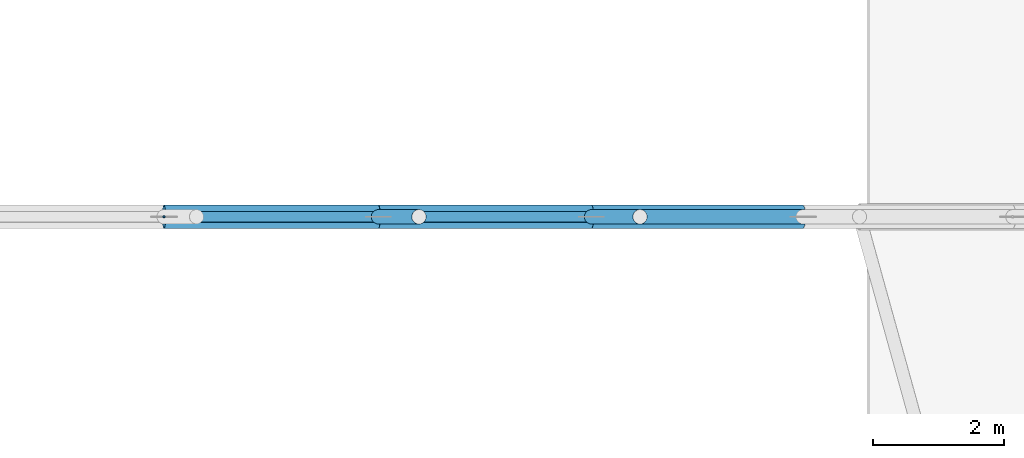
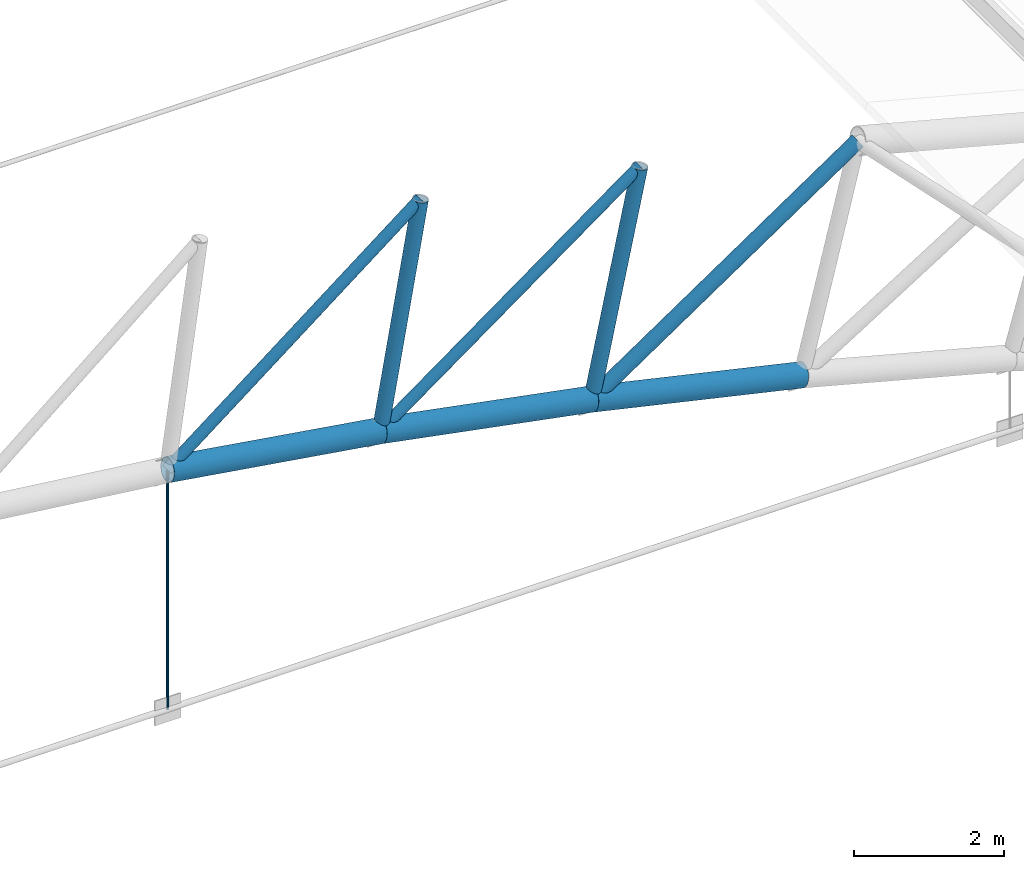
# One storey, part 106 of 321: 9 members.
"""IFC4 building model written with IfcOpenShell, lengths in metres."""

from ifc_helpers import new_model, si_unit, direction, frame, origin, origin_2d, place, context, subcontext, project, spatial, circle, hollow_circle, extrude, material, material_profile, profile_set, type_object, element, save


model = new_model("IFC4")

# Units and contexts
model_context = context("Model", 3, precision=1e-05, world=origin(), true_north=direction((0.0, 1.0)))
body_context = subcontext(model_context, "Body", "Model", "MODEL_VIEW")
ifc_project = project(units=[si_unit("LENGTHUNIT", "METRE"), si_unit("AREAUNIT", "SQUARE_METRE"), si_unit("VOLUMEUNIT", "CUBIC_METRE"), si_unit("PLANEANGLEUNIT", "RADIAN"), si_unit("MASSUNIT", "GRAM", prefix="KILO")], contexts=[model_context])

# Site, building, storey
site_placement = place(None, origin())
site = spatial("IfcSite", under=ifc_project, at=site_placement, CompositionType="ELEMENT")
building_placement = place(site_placement, origin())
building = spatial("IfcBuilding", under=site, at=building_placement, Name="Ravi Spectrum Wholesale Market", CompositionType="ELEMENT")
storey_placement = place(building_placement, frame((0.0, 0.0, 10.800048828125)))
storey = spatial("IfcBuildingStorey", under=building, at=storey_placement, Name="L02", CompositionType="ELEMENT", Elevation=10.800048828125)

# Members
ifc_material_1 = material(Name="Steel S355", Category="steel")
ifc_material_profile_1 = material_profile(ifc_material_1, hollow_circle(Radius=0.084228515625, WallThickness=0.00634765625, at=origin_2d()))
ifc_profile_set_1 = profile_set([ifc_material_profile_1], Name="Steel S355")
member_type_1 = type_object("IfcMemberType", Name="CHS 168.3x6.3 brace", PredefinedType="BRACE", material=ifc_profile_set_1)
for number, where, z_axis, x_axis, name in (
    (1, (87.0673828125, 126.0, 6.92431640625), (-0.787944778548, 0.0, -0.615745910225), (0.0, -1.0, 0.0), "H1-MB-L02-735"),
    (2, (90.436279296875, 126.0, 6.27734375), (-0.808703958366, 0.0, -0.588215868303), (0.0, -1.0, 0.0), "H1-MB-L02-736"),
):
    element("IfcMember", number, at=place(storey_placement, frame(where, z_axis=z_axis, x_axis=x_axis)), inside=storey, type_object=member_type_1, Name=name, PredefinedType="BRACE", context=body_context, shape_type="SweptSolid", body=[
        extrude(hollow_circle(Radius=0.084228515625, WallThickness=0.00634765625, at=origin_2d()), origin(), (0.0, 0.0, 1.0), 4.9296875),
    ])
ifc_material_2 = material(Name="Steel S355", Category="steel")
ifc_material_profile_2 = material_profile(ifc_material_2, hollow_circle(Radius=0.109619140625, WallThickness=0.008056640625, at=origin_2d()))
ifc_profile_set_2 = profile_set([ifc_material_profile_2], Name="Steel S355")
member_type_2 = type_object("IfcMemberType", Name="CHS 219.1x8 brace", PredefinedType="BRACE", material=ifc_profile_set_2)
member_1_placement = place(storey_placement, frame((93.78076171875, 126.0, 5.514404296875), z_axis=(-0.828544259915, 0.0, -0.559923574573), x_axis=(0.0, -1.0, 0.0)))
element("IfcMember", 3, at=member_1_placement, inside=storey, type_object=member_type_2, Name="H1-MB-L02-737", PredefinedType="BRACE", context=body_context, shape_type="SweptSolid", body=[
    extrude(hollow_circle(Radius=0.109619140625, WallThickness=0.008056640625, at=origin_2d()), origin(), (0.0, 0.0, 1.0), 4.9296875),
])
ifc_material_3 = material(Name="Steel S355", Category="steel")
ifc_material_profile_3 = material_profile(ifc_material_3, hollow_circle(Radius=0.109619140625, WallThickness=0.008056640625, at=origin_2d()))
ifc_profile_set_3 = profile_set([ifc_material_profile_3], Name="Steel S355")
member_type_3 = type_object("IfcMemberType", Name="CHS 219.1x8 post", PredefinedType="POST", material=ifc_profile_set_3)
for number, where, z_axis, x_axis, name in (
    (4, (87.0673828125, 126.0, 6.92431640625), (-0.171575852457, 0.0, -0.985170912509), (0.0, -1.0, 0.0), "H1-MB-L02-713"),
    (5, (90.436279296875, 126.0, 6.27734375), (-0.205549060287, 0.0, -0.978646812602), (0.0, -1.0, 0.0), "H1-MB-L02-714"),
):
    element("IfcMember", number, at=place(storey_placement, frame(where, z_axis=z_axis, x_axis=x_axis)), inside=storey, type_object=member_type_3, Name=name, PredefinedType="POST", context=body_context, shape_type="SweptSolid", body=[
        extrude(hollow_circle(Radius=0.109619140625, WallThickness=0.008056640625, at=origin_2d()), origin(), (0.0, 0.0, 1.0), 3.60009765625),
    ])
ifc_material_4 = material(Name="Steel S355", Category="steel")
ifc_material_profile_4 = material_profile(ifc_material_4, hollow_circle(Radius=0.177734375, WallThickness=0.012451171875, at=origin_2d()))
ifc_profile_set_4 = profile_set([ifc_material_profile_4], Name="Steel S355")
member_type_4 = type_object("IfcMemberType", Name="CHS 355.6x12.5 chord", PredefinedType="CHORD", material=ifc_profile_set_4)
member_2_placement = place(storey_placement, frame((83.18310546875, 126.0, 3.888916015625), z_axis=(0.987973992944, 0.0, -0.154620145084), x_axis=(0.0, 1.0, 0.0)))
element("IfcMember", 6, at=member_2_placement, inside=storey, type_object=member_type_4, Name="H1-MB-L02-689", PredefinedType="CHORD", context=body_context, shape_type="SweptSolid", body=[
    extrude(hollow_circle(Radius=0.177734375, WallThickness=0.012451171875, at=origin_2d()), origin(), (0.0, 0.0, 1.0), 3.306396484375),
])
member_3_placement = place(storey_placement, frame((86.44970703125, 126.0, 3.377685546875), z_axis=(0.982051718756, 0.0, -0.188611828072), x_axis=(0.0, 1.0, 0.0)))
element("IfcMember", 7, at=member_3_placement, inside=storey, type_object=member_type_4, Name="H1-MB-L02-690", PredefinedType="CHORD", context=body_context, shape_type="SweptSolid", body=[
    extrude(hollow_circle(Radius=0.177734375, WallThickness=0.012451171875, at=origin_2d()), origin(), (0.0, 0.0, 1.0), 3.305908203125),
])
member_4_placement = place(storey_placement, frame((89.6962890625, 126.0, 2.754150390625), z_axis=(0.974967923727, 0.0, -0.222345559217), x_axis=(0.0, 1.0, 0.0)))
element("IfcMember", 8, at=member_4_placement, inside=storey, type_object=member_type_4, Name="H1-MB-L02-691", PredefinedType="CHORD", context=body_context, shape_type="SweptSolid", body=[
    extrude(hollow_circle(Radius=0.177734375, WallThickness=0.012451171875, at=origin_2d()), origin(), (0.0, 0.0, 1.0), 3.30615234375),
])
ifc_material_5 = material(Name="Steel S355", Category="steel")
ifc_material_profile_5 = material_profile(ifc_material_5, circle(Radius=0.01806640625, at=origin_2d()))
ifc_profile_set_5 = profile_set([ifc_material_profile_5], Name="Steel S355")
member_type_5 = type_object("IfcMemberType", Name="ROD 36 hanger", PredefinedType="STRUT", material=ifc_profile_set_5)
member_5_placement = place(storey_placement, frame((83.18310546875, 126.0, 0.0), z_axis=(0.0, 0.0, 1.0), x_axis=(1.0, 0.0, 0.0)))
element("IfcMember", 9, at=member_5_placement, inside=storey, type_object=member_type_5, Name="H1-MB-L02-746", PredefinedType="STRUT", context=body_context, shape_type="SweptSolid", body=[
    extrude(circle(Radius=0.01806640625, at=origin_2d()), origin(), (0.0, 0.0, 1.0), 3.888916015625),
])

save(model, "model.ifc")
